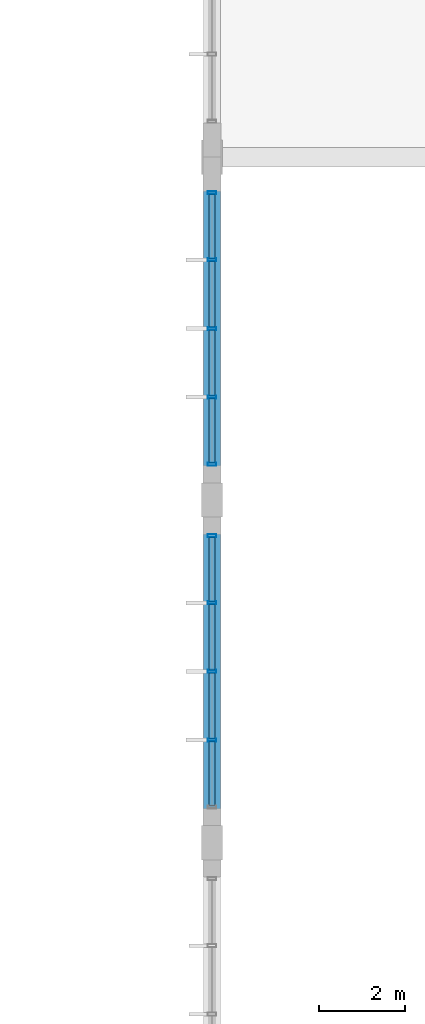
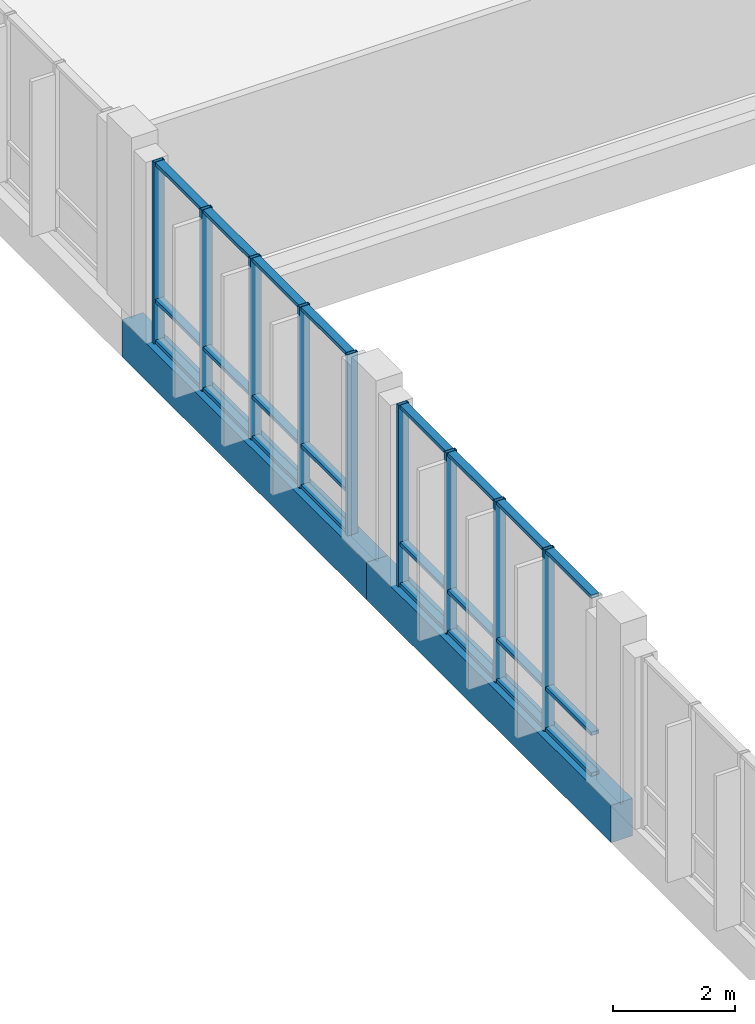
# One storey, part 35 of 189: 33 members, 2 beams, 2 elements without a shape of their own.
"""IFC4 building model written with IfcOpenShell, lengths in metres."""

from ifc_helpers import new_model, si_unit, direction, frame, origin, origin_2d, place, context, subcontext, project, spatial, rectangle, hollow_rectangle, extrude, material, material_profile, profile_set, type_object, element, aggregate, save


model = new_model("IFC4")

# Units and contexts
model_context = context("Model", 3, precision=1e-05, world=origin(), true_north=direction((0.0, 1.0)))
body_context = subcontext(model_context, "Body", "Model", "MODEL_VIEW")
ifc_project = project(units=[si_unit("LENGTHUNIT", "METRE"), si_unit("AREAUNIT", "SQUARE_METRE"), si_unit("VOLUMEUNIT", "CUBIC_METRE"), si_unit("PLANEANGLEUNIT", "RADIAN"), si_unit("MASSUNIT", "GRAM", prefix="KILO")], contexts=[model_context])

# Site, building, storey
site_placement = place(None, origin())
site = spatial("IfcSite", under=ifc_project, at=site_placement, CompositionType="ELEMENT")
building_placement = place(site_placement, origin())
building = spatial("IfcBuilding", under=site, at=building_placement, Name="Zavelmont Quarter", CompositionType="ELEMENT")
storey_placement = place(building_placement, frame((0.0, 0.0, 4.39990234375)))
storey = spatial("IfcBuildingStorey", under=building, at=storey_placement, Name="L01", CompositionType="ELEMENT", Elevation=4.39990234375)

# Beams
ifc_material_1 = material(Name="Concrete C40/50", Category="concrete")
ifc_material_profile_1 = material_profile(ifc_material_1, rectangle(XDim=0.39990234375, YDim=0.75, at=origin_2d()), Name="RC400X750")
ifc_profile_set_1 = profile_set([ifc_material_profile_1], Name="Concrete C40/50")
beam_type = type_object("IfcBeamType", Name="BM05", PredefinedType="BEAM", material=ifc_profile_set_1)
for number, where, z_axis, x_axis, name in (
    (1, (55.199951171875, 46.0, -0.65478515625), (0.0, 1.0, 0.0), (-1.0, 0.0, 0.0), "L01 beam BM05 9/H to 9/J"),
    (2, (55.199951171875, 54.0, -0.65478515625), (0.0, 1.0, 0.0), (-1.0, 0.0, 0.0), "L01 beam BM05 9/J to 9/K"),
):
    element("IfcBeam", number, at=place(storey_placement, frame(where, z_axis=z_axis, x_axis=x_axis)), inside=storey, type_object=beam_type, Name=name, PredefinedType="BEAM", context=body_context, shape_type="SweptSolid", body=[
        extrude(rectangle(XDim=0.39990234375, YDim=0.75, at=origin_2d()), origin(), (0.0, 0.0, 1.0), 8.0),
    ])

# Curtain wall, members
ifc_material_2 = material(Name="Thermally broken aluminium and double low-E safety glazing", Category="aluminium")
curtain_wall_type = type_object("IfcCurtainWallType", Name="CW-640X362", PredefinedType="NOTDEFINED", material=ifc_material_2)
curtain_wall_1_placement = place(storey_placement, origin())
curtain_wall_1 = element("IfcCurtainWall", 3, at=curtain_wall_1_placement, inside=storey, type_object=curtain_wall_type, Name="L01 unitised curtain wall CW-640X362", PredefinedType="NOTDEFINED")
ifc_material_3 = material(Name="Powder-coated aluminium EN AW-6063-T6", Category="aluminium")
ifc_material_profile_2 = material_profile(ifc_material_3, hollow_rectangle(XDim=0.070068359375, YDim=0.199951171875, WallThickness=0.0048828125, at=origin_2d()), Name="CWM70X200")
ifc_profile_set_2 = profile_set([ifc_material_profile_2], Name="Powder-coated aluminium EN AW-6063-T6")
member_type_1 = type_object("IfcMemberType", Name="CWM02", PredefinedType="MULLION", material=ifc_profile_set_2)
member_1_placement = place(storey_placement, frame((55.199951171875, 48.39990234375, -0.27978515625), z_axis=(0.0, 0.0, 1.0), x_axis=(0.0, 1.0, 0.0)))
member_1 = element("IfcMember", 4, at=member_1_placement, type_object=member_type_1, Name="CW-640X362 mullion 2", PredefinedType="MULLION", context=body_context, shape_type="SweptSolid", body=[
    extrude(hollow_rectangle(XDim=0.070068359375, YDim=0.199951171875, WallThickness=0.0048828125, at=origin_2d()), origin(), (0.0, 0.0, 1.0), 3.619873046875),
])
member_2_placement = place(storey_placement, frame((55.199951171875, 50.0, -0.27978515625), z_axis=(0.0, 0.0, 1.0), x_axis=(0.0, 1.0, 0.0)))
member_2 = element("IfcMember", 5, at=member_2_placement, type_object=member_type_1, Name="CW-640X362 mullion 3", PredefinedType="MULLION", context=body_context, shape_type="SweptSolid", body=[
    extrude(hollow_rectangle(XDim=0.070068359375, YDim=0.199951171875, WallThickness=0.0048828125, at=origin_2d()), origin(), (0.0, 0.0, 1.0), 3.619873046875),
])
member_3_placement = place(storey_placement, frame((55.199951171875, 51.60009765625, -0.27978515625), z_axis=(0.0, 0.0, 1.0), x_axis=(0.0, 1.0, 0.0)))
member_3 = element("IfcMember", 6, at=member_3_placement, type_object=member_type_1, Name="CW-640X362 mullion 4", PredefinedType="MULLION", context=body_context, shape_type="SweptSolid", body=[
    extrude(hollow_rectangle(XDim=0.070068359375, YDim=0.199951171875, WallThickness=0.0048828125, at=origin_2d()), origin(), (0.0, 0.0, 1.0), 3.619873046875),
])
member_4_placement = place(storey_placement, frame((55.199951171875, 53.1650390625, -0.27978515625), z_axis=(0.0, 0.0, 1.0), x_axis=(0.0, 1.0, 0.0)))
member_4 = element("IfcMember", 7, at=member_4_placement, type_object=member_type_1, Name="CW-640X362 mullion 5", PredefinedType="MULLION", context=body_context, shape_type="SweptSolid", body=[
    extrude(hollow_rectangle(XDim=0.070068359375, YDim=0.199951171875, WallThickness=0.0048828125, at=origin_2d()), origin(), (0.0, 0.0, 1.0), 3.619873046875),
])

curtain_wall_2_placement = place(storey_placement, origin())
curtain_wall_2 = element("IfcCurtainWall", 8, at=curtain_wall_2_placement, inside=storey, type_object=curtain_wall_type, Name="L01 unitised curtain wall CW-640X362", PredefinedType="NOTDEFINED")
member_5_placement = place(storey_placement, frame((55.199951171875, 54.8349609375, -0.27978515625), z_axis=(0.0, 0.0, 1.0), x_axis=(0.0, 1.0, 0.0)))
member_5 = element("IfcMember", 9, at=member_5_placement, type_object=member_type_1, Name="CW-640X362 mullion 1", PredefinedType="MULLION", context=body_context, shape_type="SweptSolid", body=[
    extrude(hollow_rectangle(XDim=0.070068359375, YDim=0.199951171875, WallThickness=0.0048828125, at=origin_2d()), origin(), (0.0, 0.0, 1.0), 3.619873046875),
])
member_6_placement = place(storey_placement, frame((55.199951171875, 56.39990234375, -0.27978515625), z_axis=(0.0, 0.0, 1.0), x_axis=(0.0, 1.0, 0.0)))
member_6 = element("IfcMember", 10, at=member_6_placement, type_object=member_type_1, Name="CW-640X362 mullion 2", PredefinedType="MULLION", context=body_context, shape_type="SweptSolid", body=[
    extrude(hollow_rectangle(XDim=0.070068359375, YDim=0.199951171875, WallThickness=0.0048828125, at=origin_2d()), origin(), (0.0, 0.0, 1.0), 3.619873046875),
])
member_7_placement = place(storey_placement, frame((55.199951171875, 58.0, -0.27978515625), z_axis=(0.0, 0.0, 1.0), x_axis=(0.0, 1.0, 0.0)))
member_7 = element("IfcMember", 11, at=member_7_placement, type_object=member_type_1, Name="CW-640X362 mullion 3", PredefinedType="MULLION", context=body_context, shape_type="SweptSolid", body=[
    extrude(hollow_rectangle(XDim=0.070068359375, YDim=0.199951171875, WallThickness=0.0048828125, at=origin_2d()), origin(), (0.0, 0.0, 1.0), 3.619873046875),
])
member_8_placement = place(storey_placement, frame((55.199951171875, 59.60009765625, -0.27978515625), z_axis=(0.0, 0.0, 1.0), x_axis=(0.0, 1.0, 0.0)))
member_8 = element("IfcMember", 12, at=member_8_placement, type_object=member_type_1, Name="CW-640X362 mullion 4", PredefinedType="MULLION", context=body_context, shape_type="SweptSolid", body=[
    extrude(hollow_rectangle(XDim=0.070068359375, YDim=0.199951171875, WallThickness=0.0048828125, at=origin_2d()), origin(), (0.0, 0.0, 1.0), 3.619873046875),
])
member_9_placement = place(storey_placement, frame((55.199951171875, 61.1650390625, -0.27978515625), z_axis=(0.0, 0.0, 1.0), x_axis=(0.0, 1.0, 0.0)))
member_9 = element("IfcMember", 13, at=member_9_placement, type_object=member_type_1, Name="CW-640X362 mullion 5", PredefinedType="MULLION", context=body_context, shape_type="SweptSolid", body=[
    extrude(hollow_rectangle(XDim=0.070068359375, YDim=0.199951171875, WallThickness=0.0048828125, at=origin_2d()), origin(), (0.0, 0.0, 1.0), 3.619873046875),
])

# Member
ifc_material_profile_3 = material_profile(ifc_material_3, hollow_rectangle(XDim=0.14990234375, YDim=0.070068359375, WallThickness=0.00439453125, at=origin_2d()), Name="CWT70X150")
ifc_profile_set_3 = profile_set([ifc_material_profile_3], Name="Powder-coated aluminium EN AW-6063-T6")
member_type_2 = type_object("IfcMemberType", Name="CWT02", PredefinedType="NOTDEFINED", material=ifc_profile_set_3)
member_10_placement = place(storey_placement, frame((55.199951171875, 46.8701171875, -0.244873046875), z_axis=(0.0, 1.0, 0.0), x_axis=(-1.0, 0.0, 0.0)))
member_10 = element("IfcMember", 14, at=member_10_placement, type_object=member_type_2, Name="CW-640X362 transom 1.1", ObjectType="TRANSOM", PredefinedType="USERDEFINED", context=body_context, shape_type="SweptSolid", body=[
    extrude(hollow_rectangle(XDim=0.14990234375, YDim=0.070068359375, WallThickness=0.00439453125, at=origin_2d()), origin(), (0.0, 0.0, 1.0), 1.494873046875),
])

member_11_placement = place(storey_placement, frame((55.199951171875, 46.8701171875, 0.570068359375), z_axis=(0.0, 1.0, 0.0), x_axis=(-1.0, 0.0, 0.0)))
member_11 = element("IfcMember", 15, at=member_11_placement, type_object=member_type_2, Name="CW-640X362 transom 1.2", ObjectType="TRANSOM", PredefinedType="USERDEFINED", context=body_context, shape_type="SweptSolid", body=[
    extrude(hollow_rectangle(XDim=0.14990234375, YDim=0.070068359375, WallThickness=0.00439453125, at=origin_2d()), origin(), (0.0, 0.0, 1.0), 1.494873046875),
])

member_12_placement = place(storey_placement, frame((55.199951171875, 46.8701171875, 3.30517578125), z_axis=(0.0, 1.0, 0.0), x_axis=(-1.0, 0.0, 0.0)))
member_12 = element("IfcMember", 16, at=member_12_placement, type_object=member_type_2, Name="CW-640X362 transom 1.3", ObjectType="TRANSOM", PredefinedType="USERDEFINED", context=body_context, shape_type="SweptSolid", body=[
    extrude(hollow_rectangle(XDim=0.14990234375, YDim=0.070068359375, WallThickness=0.00439453125, at=origin_2d()), origin(), (0.0, 0.0, 1.0), 1.494873046875),
])

member_13_placement = place(storey_placement, frame((55.199951171875, 48.43505859375, -0.244873046875), z_axis=(0.0, 1.0, 0.0), x_axis=(-1.0, 0.0, 0.0)))
member_13 = element("IfcMember", 17, at=member_13_placement, type_object=member_type_2, Name="CW-640X362 transom 2.1", ObjectType="TRANSOM", PredefinedType="USERDEFINED", context=body_context, shape_type="SweptSolid", body=[
    extrude(hollow_rectangle(XDim=0.14990234375, YDim=0.070068359375, WallThickness=0.00439453125, at=origin_2d()), origin(), (0.0, 0.0, 1.0), 1.530029296875),
])

member_14_placement = place(storey_placement, frame((55.199951171875, 48.43505859375, 0.570068359375), z_axis=(0.0, 1.0, 0.0), x_axis=(-1.0, 0.0, 0.0)))
member_14 = element("IfcMember", 18, at=member_14_placement, type_object=member_type_2, Name="CW-640X362 transom 2.2", ObjectType="TRANSOM", PredefinedType="USERDEFINED", context=body_context, shape_type="SweptSolid", body=[
    extrude(hollow_rectangle(XDim=0.14990234375, YDim=0.070068359375, WallThickness=0.00439453125, at=origin_2d()), origin(), (0.0, 0.0, 1.0), 1.530029296875),
])

member_15_placement = place(storey_placement, frame((55.199951171875, 48.43505859375, 3.30517578125), z_axis=(0.0, 1.0, 0.0), x_axis=(-1.0, 0.0, 0.0)))
member_15 = element("IfcMember", 19, at=member_15_placement, type_object=member_type_2, Name="CW-640X362 transom 2.3", ObjectType="TRANSOM", PredefinedType="USERDEFINED", context=body_context, shape_type="SweptSolid", body=[
    extrude(hollow_rectangle(XDim=0.14990234375, YDim=0.070068359375, WallThickness=0.00439453125, at=origin_2d()), origin(), (0.0, 0.0, 1.0), 1.530029296875),
])

member_16_placement = place(storey_placement, frame((55.199951171875, 50.034912109375, -0.244873046875), z_axis=(0.0, 1.0, 0.0), x_axis=(-1.0, 0.0, 0.0)))
member_16 = element("IfcMember", 20, at=member_16_placement, type_object=member_type_2, Name="CW-640X362 transom 3.1", ObjectType="TRANSOM", PredefinedType="USERDEFINED", context=body_context, shape_type="SweptSolid", body=[
    extrude(hollow_rectangle(XDim=0.14990234375, YDim=0.070068359375, WallThickness=0.00439453125, at=origin_2d()), origin(), (0.0, 0.0, 1.0), 1.530029296875),
])

member_17_placement = place(storey_placement, frame((55.199951171875, 50.034912109375, 0.570068359375), z_axis=(0.0, 1.0, 0.0), x_axis=(-1.0, 0.0, 0.0)))
member_17 = element("IfcMember", 21, at=member_17_placement, type_object=member_type_2, Name="CW-640X362 transom 3.2", ObjectType="TRANSOM", PredefinedType="USERDEFINED", context=body_context, shape_type="SweptSolid", body=[
    extrude(hollow_rectangle(XDim=0.14990234375, YDim=0.070068359375, WallThickness=0.00439453125, at=origin_2d()), origin(), (0.0, 0.0, 1.0), 1.530029296875),
])

member_18_placement = place(storey_placement, frame((55.199951171875, 50.034912109375, 3.30517578125), z_axis=(0.0, 1.0, 0.0), x_axis=(-1.0, 0.0, 0.0)))
member_18 = element("IfcMember", 22, at=member_18_placement, type_object=member_type_2, Name="CW-640X362 transom 3.3", ObjectType="TRANSOM", PredefinedType="USERDEFINED", context=body_context, shape_type="SweptSolid", body=[
    extrude(hollow_rectangle(XDim=0.14990234375, YDim=0.070068359375, WallThickness=0.00439453125, at=origin_2d()), origin(), (0.0, 0.0, 1.0), 1.530029296875),
])

member_19_placement = place(storey_placement, frame((55.199951171875, 51.635009765625, -0.244873046875), z_axis=(0.0, 1.0, 0.0), x_axis=(-1.0, 0.0, 0.0)))
member_19 = element("IfcMember", 23, at=member_19_placement, type_object=member_type_2, Name="CW-640X362 transom 4.1", ObjectType="TRANSOM", PredefinedType="USERDEFINED", context=body_context, shape_type="SweptSolid", body=[
    extrude(hollow_rectangle(XDim=0.14990234375, YDim=0.070068359375, WallThickness=0.00439453125, at=origin_2d()), origin(), (0.0, 0.0, 1.0), 1.494873046875),
])

member_20_placement = place(storey_placement, frame((55.199951171875, 51.635009765625, 0.570068359375), z_axis=(0.0, 1.0, 0.0), x_axis=(-1.0, 0.0, 0.0)))
member_20 = element("IfcMember", 24, at=member_20_placement, type_object=member_type_2, Name="CW-640X362 transom 4.2", ObjectType="TRANSOM", PredefinedType="USERDEFINED", context=body_context, shape_type="SweptSolid", body=[
    extrude(hollow_rectangle(XDim=0.14990234375, YDim=0.070068359375, WallThickness=0.00439453125, at=origin_2d()), origin(), (0.0, 0.0, 1.0), 1.494873046875),
])

member_21_placement = place(storey_placement, frame((55.199951171875, 51.635009765625, 3.30517578125), z_axis=(0.0, 1.0, 0.0), x_axis=(-1.0, 0.0, 0.0)))
member_21 = element("IfcMember", 25, at=member_21_placement, type_object=member_type_2, Name="CW-640X362 transom 4.3", ObjectType="TRANSOM", PredefinedType="USERDEFINED", context=body_context, shape_type="SweptSolid", body=[
    extrude(hollow_rectangle(XDim=0.14990234375, YDim=0.070068359375, WallThickness=0.00439453125, at=origin_2d()), origin(), (0.0, 0.0, 1.0), 1.494873046875),
])

aggregate(curtain_wall_1, [member_1, member_2, member_3, member_4, member_10, member_11, member_12, member_13, member_14, member_15, member_16, member_17, member_18, member_19, member_20, member_21])

member_22_placement = place(storey_placement, frame((55.199951171875, 54.8701171875, -0.244873046875), z_axis=(0.0, 1.0, 0.0), x_axis=(-1.0, 0.0, 0.0)))
member_22 = element("IfcMember", 26, at=member_22_placement, type_object=member_type_2, Name="CW-640X362 transom 1.1", ObjectType="TRANSOM", PredefinedType="USERDEFINED", context=body_context, shape_type="SweptSolid", body=[
    extrude(hollow_rectangle(XDim=0.14990234375, YDim=0.070068359375, WallThickness=0.00439453125, at=origin_2d()), origin(), (0.0, 0.0, 1.0), 1.494873046875),
])

member_23_placement = place(storey_placement, frame((55.199951171875, 54.8701171875, 0.570068359375), z_axis=(0.0, 1.0, 0.0), x_axis=(-1.0, 0.0, 0.0)))
member_23 = element("IfcMember", 27, at=member_23_placement, type_object=member_type_2, Name="CW-640X362 transom 1.2", ObjectType="TRANSOM", PredefinedType="USERDEFINED", context=body_context, shape_type="SweptSolid", body=[
    extrude(hollow_rectangle(XDim=0.14990234375, YDim=0.070068359375, WallThickness=0.00439453125, at=origin_2d()), origin(), (0.0, 0.0, 1.0), 1.494873046875),
])

member_24_placement = place(storey_placement, frame((55.199951171875, 54.8701171875, 3.30517578125), z_axis=(0.0, 1.0, 0.0), x_axis=(-1.0, 0.0, 0.0)))
member_24 = element("IfcMember", 28, at=member_24_placement, type_object=member_type_2, Name="CW-640X362 transom 1.3", ObjectType="TRANSOM", PredefinedType="USERDEFINED", context=body_context, shape_type="SweptSolid", body=[
    extrude(hollow_rectangle(XDim=0.14990234375, YDim=0.070068359375, WallThickness=0.00439453125, at=origin_2d()), origin(), (0.0, 0.0, 1.0), 1.494873046875),
])

member_25_placement = place(storey_placement, frame((55.199951171875, 56.43505859375, -0.244873046875), z_axis=(0.0, 1.0, 0.0), x_axis=(-1.0, 0.0, 0.0)))
member_25 = element("IfcMember", 29, at=member_25_placement, type_object=member_type_2, Name="CW-640X362 transom 2.1", ObjectType="TRANSOM", PredefinedType="USERDEFINED", context=body_context, shape_type="SweptSolid", body=[
    extrude(hollow_rectangle(XDim=0.14990234375, YDim=0.070068359375, WallThickness=0.00439453125, at=origin_2d()), origin(), (0.0, 0.0, 1.0), 1.530029296875),
])

member_26_placement = place(storey_placement, frame((55.199951171875, 56.43505859375, 0.570068359375), z_axis=(0.0, 1.0, 0.0), x_axis=(-1.0, 0.0, 0.0)))
member_26 = element("IfcMember", 30, at=member_26_placement, type_object=member_type_2, Name="CW-640X362 transom 2.2", ObjectType="TRANSOM", PredefinedType="USERDEFINED", context=body_context, shape_type="SweptSolid", body=[
    extrude(hollow_rectangle(XDim=0.14990234375, YDim=0.070068359375, WallThickness=0.00439453125, at=origin_2d()), origin(), (0.0, 0.0, 1.0), 1.530029296875),
])

member_27_placement = place(storey_placement, frame((55.199951171875, 56.43505859375, 3.30517578125), z_axis=(0.0, 1.0, 0.0), x_axis=(-1.0, 0.0, 0.0)))
member_27 = element("IfcMember", 31, at=member_27_placement, type_object=member_type_2, Name="CW-640X362 transom 2.3", ObjectType="TRANSOM", PredefinedType="USERDEFINED", context=body_context, shape_type="SweptSolid", body=[
    extrude(hollow_rectangle(XDim=0.14990234375, YDim=0.070068359375, WallThickness=0.00439453125, at=origin_2d()), origin(), (0.0, 0.0, 1.0), 1.530029296875),
])

member_28_placement = place(storey_placement, frame((55.199951171875, 58.034912109375, -0.244873046875), z_axis=(0.0, 1.0, 0.0), x_axis=(-1.0, 0.0, 0.0)))
member_28 = element("IfcMember", 32, at=member_28_placement, type_object=member_type_2, Name="CW-640X362 transom 3.1", ObjectType="TRANSOM", PredefinedType="USERDEFINED", context=body_context, shape_type="SweptSolid", body=[
    extrude(hollow_rectangle(XDim=0.14990234375, YDim=0.070068359375, WallThickness=0.00439453125, at=origin_2d()), origin(), (0.0, 0.0, 1.0), 1.530029296875),
])

member_29_placement = place(storey_placement, frame((55.199951171875, 58.034912109375, 0.570068359375), z_axis=(0.0, 1.0, 0.0), x_axis=(-1.0, 0.0, 0.0)))
member_29 = element("IfcMember", 33, at=member_29_placement, type_object=member_type_2, Name="CW-640X362 transom 3.2", ObjectType="TRANSOM", PredefinedType="USERDEFINED", context=body_context, shape_type="SweptSolid", body=[
    extrude(hollow_rectangle(XDim=0.14990234375, YDim=0.070068359375, WallThickness=0.00439453125, at=origin_2d()), origin(), (0.0, 0.0, 1.0), 1.530029296875),
])

member_30_placement = place(storey_placement, frame((55.199951171875, 58.034912109375, 3.30517578125), z_axis=(0.0, 1.0, 0.0), x_axis=(-1.0, 0.0, 0.0)))
member_30 = element("IfcMember", 34, at=member_30_placement, type_object=member_type_2, Name="CW-640X362 transom 3.3", ObjectType="TRANSOM", PredefinedType="USERDEFINED", context=body_context, shape_type="SweptSolid", body=[
    extrude(hollow_rectangle(XDim=0.14990234375, YDim=0.070068359375, WallThickness=0.00439453125, at=origin_2d()), origin(), (0.0, 0.0, 1.0), 1.530029296875),
])

member_31_placement = place(storey_placement, frame((55.199951171875, 59.635009765625, -0.244873046875), z_axis=(0.0, 1.0, 0.0), x_axis=(-1.0, 0.0, 0.0)))
member_31 = element("IfcMember", 35, at=member_31_placement, type_object=member_type_2, Name="CW-640X362 transom 4.1", ObjectType="TRANSOM", PredefinedType="USERDEFINED", context=body_context, shape_type="SweptSolid", body=[
    extrude(hollow_rectangle(XDim=0.14990234375, YDim=0.070068359375, WallThickness=0.00439453125, at=origin_2d()), origin(), (0.0, 0.0, 1.0), 1.494873046875),
])

member_32_placement = place(storey_placement, frame((55.199951171875, 59.635009765625, 0.570068359375), z_axis=(0.0, 1.0, 0.0), x_axis=(-1.0, 0.0, 0.0)))
member_32 = element("IfcMember", 36, at=member_32_placement, type_object=member_type_2, Name="CW-640X362 transom 4.2", ObjectType="TRANSOM", PredefinedType="USERDEFINED", context=body_context, shape_type="SweptSolid", body=[
    extrude(hollow_rectangle(XDim=0.14990234375, YDim=0.070068359375, WallThickness=0.00439453125, at=origin_2d()), origin(), (0.0, 0.0, 1.0), 1.494873046875),
])

member_33_placement = place(storey_placement, frame((55.199951171875, 59.635009765625, 3.30517578125), z_axis=(0.0, 1.0, 0.0), x_axis=(-1.0, 0.0, 0.0)))
member_33 = element("IfcMember", 37, at=member_33_placement, type_object=member_type_2, Name="CW-640X362 transom 4.3", ObjectType="TRANSOM", PredefinedType="USERDEFINED", context=body_context, shape_type="SweptSolid", body=[
    extrude(hollow_rectangle(XDim=0.14990234375, YDim=0.070068359375, WallThickness=0.00439453125, at=origin_2d()), origin(), (0.0, 0.0, 1.0), 1.494873046875),
])

aggregate(curtain_wall_2, [member_5, member_6, member_7, member_8, member_9, member_22, member_23, member_24, member_25, member_26, member_27, member_28, member_29, member_30, member_31, member_32, member_33])

save(model, "model.ifc")
